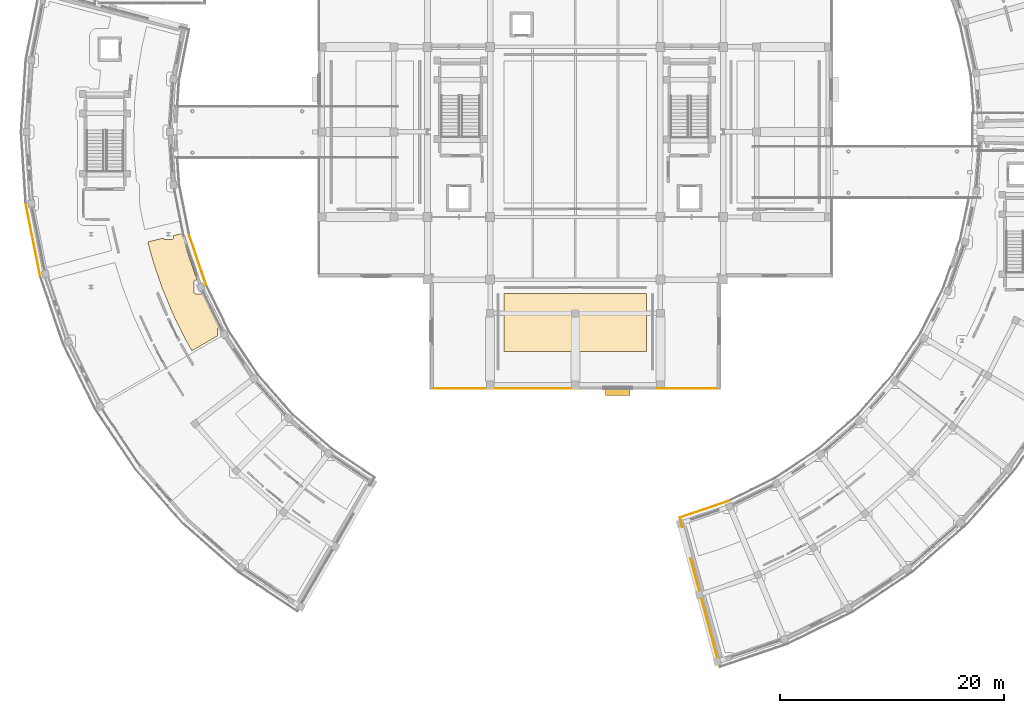
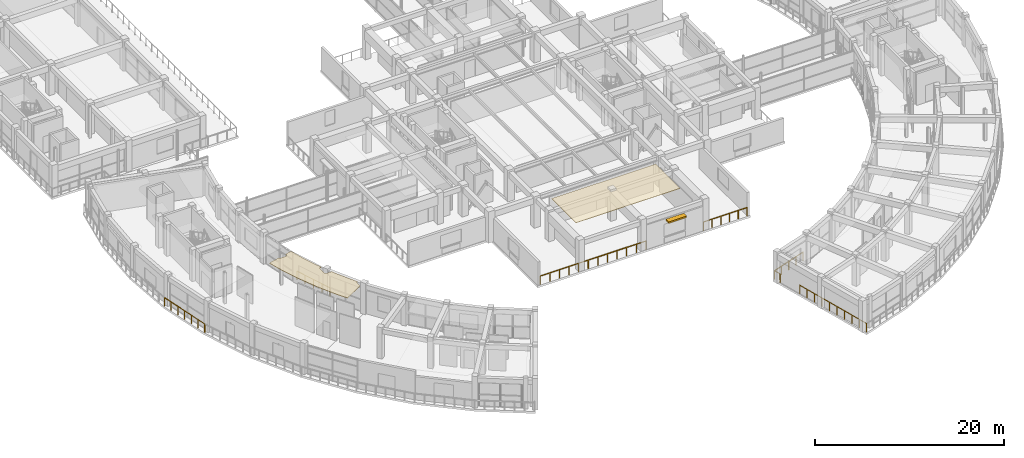
# One storey, part 58 of 70: 7 railings, 2 coverings, 1 shading device.
"""IFC4 building model written with IfcOpenShell, lengths in metres."""

from ifc_helpers import new_model, si_unit, direction, frame, origin, origin_2d, place, context, subcontext, project, spatial, polyline, rectangle, outline, extrude, material, layer, layer_set, type_object, element, save


model = new_model("IFC4")

# Units and contexts
model_context = context("Model", 3, precision=1e-05, world=origin(), true_north=direction((0.0, 1.0)))
body_context = subcontext(model_context, "Body", "Model", "MODEL_VIEW")
ifc_project = project(units=[si_unit("LENGTHUNIT", "METRE"), si_unit("AREAUNIT", "SQUARE_METRE"), si_unit("VOLUMEUNIT", "CUBIC_METRE"), si_unit("PLANEANGLEUNIT", "RADIAN"), si_unit("MASSUNIT", "GRAM", prefix="KILO")], contexts=[model_context])

# Site, building, storey
site_placement = place(None, origin())
site = spatial("IfcSite", under=ifc_project, at=site_placement, CompositionType="ELEMENT")
building_placement = place(site_placement, origin())
building = spatial("IfcBuilding", under=site, at=building_placement, Name="Saryqyr Civic Hall", CompositionType="ELEMENT")
storey_placement = place(building_placement, frame((0.0, 0.0, 13.199951171875)))
storey = spatial("IfcBuildingStorey", under=building, at=storey_placement, Name="L03", CompositionType="ELEMENT", Elevation=13.199951171875)

# Shading device
ifc_material_1 = material(Name="Warm brushed brass-anodised aluminium", Category="aluminium")
shading_device_type = type_object("IfcShadingDeviceType", Name="ENV-SHD-LOUVRE", PredefinedType="JALOUSIE", material=ifc_material_1)
shading_device_placement = place(storey_placement, frame((60.800048828125, 60.77490234375, 2.88525390625), z_axis=(0.0, 0.0, 1.0), x_axis=(-1.0, 0.0, 0.0)))
element("IfcShadingDevice", 1, at=shading_device_placement, inside=storey, type_object=shading_device_type, Name="Warm brass exterior louvre hood L03-11", PredefinedType="JALOUSIE", context=body_context, shape_type="SweptSolid", body=[
    extrude(rectangle(XDim=2.199951171875, YDim=0.60009765625, at=origin_2d()), origin(), (0.0, 0.0, 1.0), 0.199951171875),
])

# Coverings
ifc_material_2 = material(Name="Mineral-fibre acoustic ceiling tile", Category="acoustic_tile")
ifc_layer_1 = layer(ifc_material_2, 0.06005859375, Name="Mineral-fibre acoustic ceiling tile")
ifc_layer_set_1 = layer_set([ifc_layer_1], Name="Mineral-fibre acoustic ceiling tile")
covering_type = type_object("IfcCoveringType", Name="INT-COV-CEIL-60", PredefinedType="CEILING", material=ifc_layer_set_1)
covering_1_placement = place(storey_placement, frame((0.0, 0.0, 3.72998046875)))
element("IfcCovering", 2, at=covering_1_placement, inside=storey, type_object=covering_type, Name="Acoustic ceiling Traffic Control Modelling Room", PredefinedType="CEILING", context=body_context, shape_type="SweptSolid", body=[
    extrude(outline(polyline([(23.101318359375, 71.101806640625), (23.236328125, 70.77685546875), (23.175537109375, 70.77685546875), (23.151123046875, 70.775634765625), (23.126708984375, 70.772216796875), (23.10302734375, 70.76611328125), (23.079833984375, 70.7578125), (23.057861328125, 70.747314453125), (23.03662109375, 70.73486328125), (23.01708984375, 70.72021484375), (22.998779296875, 70.70361328125), (22.982421875, 70.685546875), (22.9677734375, 70.665771484375), (22.955078125, 70.644775390625), (22.944580078125, 70.62255859375), (22.936279296875, 70.599609375), (22.930419921875, 70.57568359375), (22.9267578125, 70.551513671875), (22.925537109375, 70.52685546875), (22.925537109375, 69.766845703125), (22.9267578125, 69.742431640625), (22.930419921875, 69.718017578125), (22.936279296875, 69.6943359375), (22.944580078125, 69.671142578125), (22.955078125, 69.649169921875), (22.9677734375, 69.6279296875), (22.982421875, 69.6083984375), (22.998779296875, 69.590087890625), (23.01708984375, 69.573486328125), (23.03662109375, 69.55908203125), (23.057861328125, 69.54638671875), (23.079833984375, 69.535888671875), (23.10302734375, 69.527587890625), (23.126708984375, 69.521728515625), (23.151123046875, 69.51806640625), (23.175537109375, 69.516845703125), (23.760986328125, 69.516845703125), (23.964599609375, 69.028076171875), (23.97900390625, 68.99658203125), (24.97119140625, 66.98095703125), (24.9873046875, 66.950439453125), (25.230224609375, 66.526611328125), (25.22119140625, 66.525146484375), (25.197265625, 66.519287109375), (25.17431640625, 66.510986328125), (25.152099609375, 66.50048828125), (25.131103515625, 66.48779296875), (25.111328125, 66.473388671875), (25.093017578125, 66.456787109375), (25.07666015625, 66.438720703125), (25.06201171875, 66.4189453125), (25.04931640625, 66.397705078125), (25.038818359375, 66.375732421875), (25.03076171875, 66.3525390625), (25.024658203125, 66.328857421875), (25.02099609375, 66.304443359375), (25.02001953125, 66.280029296875), (25.02001953125, 65.76708984375), (22.752685546875, 64.458251953125), (22.171875, 65.47216796875), (21.076171875, 67.697998046875), (20.122314453125, 69.988525390625), (19.314697265625, 72.33447265625), (18.80712890625, 74.176513671875), (20.19482421875, 74.51220703125), (20.199462890625, 74.502197265625), (20.212158203125, 74.481201171875), (20.226806640625, 74.46142578125), (20.2431640625, 74.443115234375), (20.261474609375, 74.4267578125), (20.281005859375, 74.412109375), (20.30224609375, 74.3994140625), (20.32421875, 74.388916015625), (20.347412109375, 74.380859375), (20.37109375, 74.374755859375), (20.3955078125, 74.37109375), (20.419921875, 74.3701171875), (20.8798828125, 74.3701171875), (20.904541015625, 74.37109375), (20.9287109375, 74.374755859375), (20.95263671875, 74.380859375), (20.9755859375, 74.388916015625), (20.997802734375, 74.3994140625), (21.018798828125, 74.412109375), (21.03857421875, 74.4267578125), (21.056884765625, 74.443115234375), (21.0732421875, 74.46142578125), (21.087890625, 74.481201171875), (21.1005859375, 74.502197265625), (21.111083984375, 74.5244140625), (21.119140625, 74.54736328125), (21.125244140625, 74.5712890625), (21.12890625, 74.595458984375), (21.1298828125, 74.6201171875), (21.1298828125, 74.73828125), (21.897705078125, 74.924072265625), (22.34716796875, 73.291259765625), (22.357421875, 73.25830078125), (23.0888671875, 71.134033203125), (23.101318359375, 71.101806640625)])), origin(), (0.0, 0.0, 1.0), 0.06005859375),
])
covering_2_placement = place(storey_placement, frame((0.0, 0.0, 3.72998046875)))
element("IfcCovering", 3, at=covering_2_placement, inside=storey, type_object=covering_type, Name="Acoustic ceiling Municipal Directors' Conference Room", PredefinedType="CEILING", context=body_context, shape_type="SweptSolid", body=[
    extrude(outline(polyline([(50.64990234375, 69.550048828125), (63.35009765625, 69.550048828125), (63.35009765625, 64.39990234375), (50.64990234375, 64.39990234375), (50.64990234375, 69.550048828125)])), origin(), (0.0, 0.0, 1.0), 0.06005859375),
])

# Railings
ifc_material_3 = material(Name="Warm brushed brass and laminated glass", Category="glass")
ifc_layer_2 = layer(ifc_material_3, 0.06005859375, Name="Warm brushed brass and laminated glass")
ifc_layer_set_2 = layer_set([ifc_layer_2], Name="Warm brushed brass and laminated glass")
railing_type = type_object("IfcRailingType", Name="INT-RLG-BAL-1100", PredefinedType="BALUSTRADE", material=ifc_layer_set_2)
railing_1_placement = place(storey_placement, frame((9.18701171875, 71.1884765625, 0.0)))
element("IfcRailing", 4, at=railing_1_placement, inside=storey, type_object=railing_type, Name="Interior deck safety balustrade L03-009", PredefinedType="BALUSTRADE", context=body_context, shape_type="SweptSolid", body=[
    extrude(rectangle(XDim=0.048095703125, YDim=0.048095703125, at=origin_2d()), frame((0.0, 0.0, 1.09619140625), z_axis=(-0.195122656431, 0.980778848134, 0.0), x_axis=(-0.980778848134, -0.195122656431, 0.0)), (0.0, 0.0, 1.0), 6.47509765625),
    extrude(rectangle(XDim=0.0419921875, YDim=0.0419921875, at=origin_2d()), origin(), (0.0, 0.0, 1.0), 1.072021484375),
    extrude(rectangle(XDim=0.0419921875, YDim=0.0419921875, at=origin_2d()), frame((-0.21044921875, 1.058349609375, 0.0)), (0.0, 0.0, 1.0), 1.072021484375),
    extrude(rectangle(XDim=0.0419921875, YDim=0.0419921875, at=origin_2d()), frame((-0.421142578125, 2.116943359375, 0.0)), (0.0, 0.0, 1.0), 1.072021484375),
    extrude(rectangle(XDim=0.0419921875, YDim=0.0419921875, at=origin_2d()), frame((-0.6318359375, 3.17529296875, 0.0)), (0.0, 0.0, 1.0), 1.072021484375),
    extrude(rectangle(XDim=0.0419921875, YDim=0.0419921875, at=origin_2d()), frame((-0.84228515625, 4.233642578125, 0.0)), (0.0, 0.0, 1.0), 1.072021484375),
    extrude(rectangle(XDim=0.0419921875, YDim=0.0419921875, at=origin_2d()), frame((-1.052734375, 5.292236328125, 0.0)), (0.0, 0.0, 1.0), 1.072021484375),
    extrude(rectangle(XDim=0.0419921875, YDim=0.0419921875, at=origin_2d()), frame((-1.263427734375, 6.3505859375, 0.0)), (0.0, 0.0, 1.0), 1.072021484375),
])
railing_2_placement = place(storey_placement, frame((69.906494140625, 36.218994140625, 0.0)))
element("IfcRailing", 5, at=railing_2_placement, inside=storey, type_object=railing_type, Name="Interior deck safety balustrade L03-070", PredefinedType="BALUSTRADE", context=body_context, shape_type="SweptSolid", body=[
    extrude(rectangle(XDim=0.048095703125, YDim=0.048095703125, at=origin_2d()), frame((0.0, 0.0, 1.09619140625), z_axis=(-0.258831910076, 0.965922379038, 0.0), x_axis=(-0.965922379038, -0.258831910076, 0.0)), (0.0, 0.0, 1.0), 10.01806640625),
    extrude(rectangle(XDim=0.0419921875, YDim=0.0419921875, at=origin_2d()), origin(), (0.0, 0.0, 1.0), 1.072021484375),
    extrude(rectangle(XDim=0.0419921875, YDim=0.0419921875, at=origin_2d()), frame((-0.2880859375, 1.0751953125, 0.0)), (0.0, 0.0, 1.0), 1.072021484375),
    extrude(rectangle(XDim=0.0419921875, YDim=0.0419921875, at=origin_2d()), frame((-0.576171875, 2.150390625, 0.0)), (0.0, 0.0, 1.0), 1.072021484375),
    extrude(rectangle(XDim=0.0419921875, YDim=0.0419921875, at=origin_2d()), frame((-0.8642578125, 3.2255859375, 0.0)), (0.0, 0.0, 1.0), 1.072021484375),
    extrude(rectangle(XDim=0.0419921875, YDim=0.0419921875, at=origin_2d()), frame((-1.15234375, 4.30078125, 0.0)), (0.0, 0.0, 1.0), 1.072021484375),
    extrude(rectangle(XDim=0.0419921875, YDim=0.0419921875, at=origin_2d()), frame((-1.440673828125, 5.3759765625, 0.0)), (0.0, 0.0, 1.0), 1.072021484375),
    extrude(rectangle(XDim=0.0419921875, YDim=0.0419921875, at=origin_2d()), frame((-1.728759765625, 6.451171875, 0.0)), (0.0, 0.0, 1.0), 1.072021484375),
    extrude(rectangle(XDim=0.0419921875, YDim=0.0419921875, at=origin_2d()), frame((-2.016845703125, 7.5263671875, 0.0)), (0.0, 0.0, 1.0), 1.072021484375),
    extrude(rectangle(XDim=0.0419921875, YDim=0.0419921875, at=origin_2d()), frame((-2.304931640625, 8.6015625, 0.0)), (0.0, 0.0, 1.0), 1.072021484375),
    extrude(rectangle(XDim=0.0419921875, YDim=0.0419921875, at=origin_2d()), frame((-2.593017578125, 9.6767578125, 0.0)), (0.0, 0.0, 1.0), 1.072021484375),
])
railing_3_placement = place(storey_placement, frame((66.556396484375, 48.720947265625, 0.0)))
element("IfcRailing", 6, at=railing_3_placement, inside=storey, type_object=railing_type, Name="Interior deck safety balustrade L03-071", PredefinedType="BALUSTRADE", context=body_context, shape_type="SweptSolid", body=[
    extrude(rectangle(XDim=0.048095703125, YDim=0.048095703125, at=origin_2d()), frame((0.0, 0.0, 1.09619140625), z_axis=(-0.258797820574, 0.965931513134, 0.0), x_axis=(-0.965931513134, -0.258797820574, 0.0)), (0.0, 0.0, 1.0), 0.856689453125),
    extrude(rectangle(XDim=0.0419921875, YDim=0.0419921875, at=origin_2d()), origin(), (0.0, 0.0, 1.0), 1.072021484375),
    extrude(rectangle(XDim=0.0419921875, YDim=0.0419921875, at=origin_2d()), frame((-0.2216796875, 0.827392578125, 0.0)), (0.0, 0.0, 1.0), 1.072021484375),
])
railing_4_placement = place(storey_placement, frame((66.334716796875, 49.54833984375, 0.0)))
element("IfcRailing", 7, at=railing_4_placement, inside=storey, type_object=railing_type, Name="Interior deck safety balustrade L03-072", PredefinedType="BALUSTRADE", context=body_context, shape_type="SweptSolid", body=[
    extrude(rectangle(XDim=0.048095703125, YDim=0.048095703125, at=origin_2d()), frame((0.0, 0.0, 1.09619140625), z_axis=(0.946921791476, 0.321464027269, 0.0), x_axis=(-0.321464027269, 0.946921791476, 0.0)), (0.0, 0.0, 1.0), 4.569580078125),
    extrude(rectangle(XDim=0.0419921875, YDim=0.0419921875, at=origin_2d()), origin(), (0.0, 0.0, 1.0), 1.072021484375),
    extrude(rectangle(XDim=0.0419921875, YDim=0.0419921875, at=origin_2d()), frame((1.081787109375, 0.3671875, 0.0)), (0.0, 0.0, 1.0), 1.072021484375),
    extrude(rectangle(XDim=0.0419921875, YDim=0.0419921875, at=origin_2d()), frame((2.16357421875, 0.734375, 0.0)), (0.0, 0.0, 1.0), 1.072021484375),
    extrude(rectangle(XDim=0.0419921875, YDim=0.0419921875, at=origin_2d()), frame((3.245361328125, 1.101806640625, 0.0)), (0.0, 0.0, 1.0), 1.072021484375),
    extrude(rectangle(XDim=0.0419921875, YDim=0.0419921875, at=origin_2d()), frame((4.3271484375, 1.468994140625, 0.0)), (0.0, 0.0, 1.0), 1.072021484375),
])
railing_5_placement = place(storey_placement, frame((69.635009765625, 61.10009765625, 0.0)))
element("IfcRailing", 8, at=railing_5_placement, inside=storey, type_object=railing_type, Name="Interior deck safety balustrade L03-083", PredefinedType="BALUSTRADE", context=body_context, shape_type="SweptSolid", body=[
    extrude(rectangle(XDim=0.048095703125, YDim=0.048095703125, at=origin_2d()), frame((0.0, 0.0, 1.09619140625), z_axis=(-1.0, 0.0, 0.0), x_axis=(0.0, -1.0, 0.0)), (0.0, 0.0, 1.0), 5.320068359375),
    extrude(rectangle(XDim=0.0419921875, YDim=0.0419921875, at=origin_2d()), origin(), (0.0, 0.0, 1.0), 1.072021484375),
    extrude(rectangle(XDim=0.0419921875, YDim=0.0419921875, at=origin_2d()), frame((-1.06396484375, 0.0, 0.0)), (0.0, 0.0, 1.0), 1.072021484375),
    extrude(rectangle(XDim=0.0419921875, YDim=0.0419921875, at=origin_2d()), frame((-2.1279296875, 0.0, 0.0)), (0.0, 0.0, 1.0), 1.072021484375),
    extrude(rectangle(XDim=0.0419921875, YDim=0.0419921875, at=origin_2d()), frame((-3.192138671875, 0.0, 0.0)), (0.0, 0.0, 1.0), 1.072021484375),
    extrude(rectangle(XDim=0.0419921875, YDim=0.0419921875, at=origin_2d()), frame((-4.256103515625, 0.0, 0.0)), (0.0, 0.0, 1.0), 1.072021484375),
    extrude(rectangle(XDim=0.0419921875, YDim=0.0419921875, at=origin_2d()), frame((-5.320068359375, 0.0, 0.0)), (0.0, 0.0, 1.0), 1.072021484375),
])
railing_6_placement = place(storey_placement, frame((57.284912109375, 61.10009765625, 0.0)))
element("IfcRailing", 9, at=railing_6_placement, inside=storey, type_object=railing_type, Name="Interior deck safety balustrade L03-084", PredefinedType="BALUSTRADE", context=body_context, shape_type="SweptSolid", body=[
    extrude(rectangle(XDim=0.048095703125, YDim=0.048095703125, at=origin_2d()), frame((0.0, 0.0, 1.09619140625), z_axis=(-1.0, 0.0, 0.0), x_axis=(0.0, -1.0, 0.0)), (0.0, 0.0, 1.0), 12.919921875),
    extrude(rectangle(XDim=0.0419921875, YDim=0.0419921875, at=origin_2d()), origin(), (0.0, 0.0, 1.0), 1.072021484375),
    extrude(rectangle(XDim=0.0419921875, YDim=0.0419921875, at=origin_2d()), frame((-1.174560546875, 0.0, 0.0)), (0.0, 0.0, 1.0), 1.072021484375),
    extrude(rectangle(XDim=0.0419921875, YDim=0.0419921875, at=origin_2d()), frame((-2.34912109375, 0.0, 0.0)), (0.0, 0.0, 1.0), 1.072021484375),
    extrude(rectangle(XDim=0.0419921875, YDim=0.0419921875, at=origin_2d()), frame((-3.523681640625, 0.0, 0.0)), (0.0, 0.0, 1.0), 1.072021484375),
    extrude(rectangle(XDim=0.0419921875, YDim=0.0419921875, at=origin_2d()), frame((-4.6982421875, 0.0, 0.0)), (0.0, 0.0, 1.0), 1.072021484375),
    extrude(rectangle(XDim=0.0419921875, YDim=0.0419921875, at=origin_2d()), frame((-5.872802734375, 0.0, 0.0)), (0.0, 0.0, 1.0), 1.072021484375),
    extrude(rectangle(XDim=0.0419921875, YDim=0.0419921875, at=origin_2d()), frame((-7.047119140625, 0.0, 0.0)), (0.0, 0.0, 1.0), 1.072021484375),
    extrude(rectangle(XDim=0.0419921875, YDim=0.0419921875, at=origin_2d()), frame((-8.2216796875, 0.0, 0.0)), (0.0, 0.0, 1.0), 1.072021484375),
    extrude(rectangle(XDim=0.0419921875, YDim=0.0419921875, at=origin_2d()), frame((-9.396240234375, 0.0, 0.0)), (0.0, 0.0, 1.0), 1.072021484375),
    extrude(rectangle(XDim=0.0419921875, YDim=0.0419921875, at=origin_2d()), frame((-10.57080078125, 0.0, 0.0)), (0.0, 0.0, 1.0), 1.072021484375),
    extrude(rectangle(XDim=0.0419921875, YDim=0.0419921875, at=origin_2d()), frame((-11.745361328125, 0.0, 0.0)), (0.0, 0.0, 1.0), 1.072021484375),
    extrude(rectangle(XDim=0.0419921875, YDim=0.0419921875, at=origin_2d()), frame((-12.919921875, 0.0, 0.0)), (0.0, 0.0, 1.0), 1.072021484375),
])
railing_7_placement = place(storey_placement, frame((22.51611328125, 74.760009765625, 0.0)))
element("IfcRailing", 10, at=railing_7_placement, inside=storey, type_object=railing_type, Name="Interior deck safety balustrade L03-088", PredefinedType="BALUSTRADE", context=body_context, shape_type="SweptSolid", body=[
    extrude(rectangle(XDim=0.048095703125, YDim=0.048095703125, at=origin_2d()), frame((0.0, 0.0, 1.09619140625), z_axis=(0.321477177768, -0.946917327001, 0.0), x_axis=(0.946917327001, 0.321477177768, 0.0)), (0.0, 0.0, 1.0), 4.669677734375),
    extrude(rectangle(XDim=0.0419921875, YDim=0.0419921875, at=origin_2d()), origin(), (0.0, 0.0, 1.0), 1.072021484375),
    extrude(rectangle(XDim=0.0419921875, YDim=0.0419921875, at=origin_2d()), frame((0.375244140625, -1.10546875, 0.0)), (0.0, 0.0, 1.0), 1.072021484375),
    extrude(rectangle(XDim=0.0419921875, YDim=0.0419921875, at=origin_2d()), frame((0.75048828125, -2.2109375, 0.0)), (0.0, 0.0, 1.0), 1.072021484375),
    extrude(rectangle(XDim=0.0419921875, YDim=0.0419921875, at=origin_2d()), frame((1.1259765625, -3.31640625, 0.0)), (0.0, 0.0, 1.0), 1.072021484375),
    extrude(rectangle(XDim=0.0419921875, YDim=0.0419921875, at=origin_2d()), frame((1.501220703125, -4.421875, 0.0)), (0.0, 0.0, 1.0), 1.072021484375),
])

save(model, "model.ifc")
